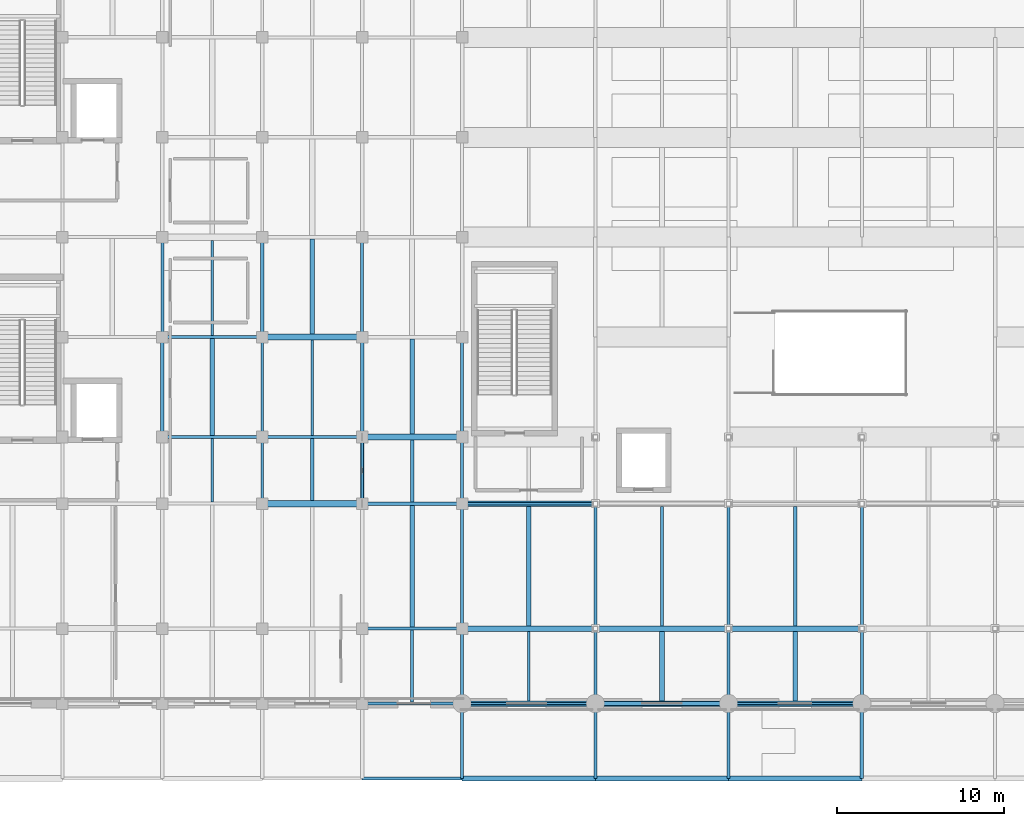
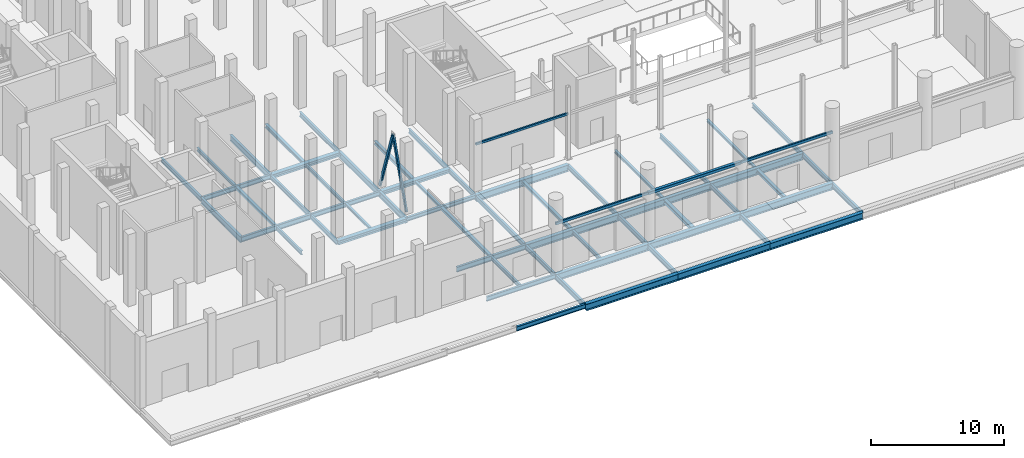
# One storey, part 21 of 140: 62 beams, 2 members.
"""IFC4 building model written with IfcOpenShell, lengths in metres."""

from ifc_helpers import new_model, si_unit, direction, frame, origin, origin_2d, place, context, subcontext, project, spatial, hollow_rectangle, i_section, extrude, material, material_profile, profile_set, type_object, element, save


model = new_model("IFC4")

# Units and contexts
model_context = context("Model", 3, precision=1e-05, world=origin(), true_north=direction((0.0, 1.0)))
body_context = subcontext(model_context, "Body", "Model", "MODEL_VIEW")
ifc_project = project(units=[si_unit("LENGTHUNIT", "METRE"), si_unit("AREAUNIT", "SQUARE_METRE"), si_unit("VOLUMEUNIT", "CUBIC_METRE"), si_unit("PLANEANGLEUNIT", "RADIAN"), si_unit("MASSUNIT", "GRAM", prefix="KILO")], contexts=[model_context])

# Site, building, storey
site_placement = place(None, origin())
site = spatial("IfcSite", under=ifc_project, at=site_placement, CompositionType="ELEMENT")
building_placement = place(site_placement, origin())
building = spatial("IfcBuilding", under=site, at=building_placement, Name="Verrall Gate Interchange", CompositionType="ELEMENT")
storey_placement = place(building_placement, origin())
storey = spatial("IfcBuildingStorey", under=building, at=storey_placement, Name="L01", CompositionType="ELEMENT", Elevation=0.0)

# Beams
ifc_material_1 = material(Name="Structural Steel CSA G40.21 350WT Cat 4", Category="steel")
ifc_material_profile_1 = material_profile(ifc_material_1, i_section(OverallWidth=0.323974609375, OverallDepth=0.611083984375, WebThickness=0.0126953125, FlangeThickness=0.01904296875, FilletRadius=0.014892578125, at=origin_2d()), Name="W610x155")
ifc_profile_set_1 = profile_set([ifc_material_profile_1], Name="Structural Steel CSA G40.21 350WT Cat 4")
beam_type_1 = type_object("IfcBeamType", Name="B-08 Structural Beam W610x155", PredefinedType="BEAM", material=ifc_profile_set_1)
for number, where, z_axis, x_axis, name in (
    (1, (36.0, -4.5, -0.805419921875), (1.0, 0.0, 0.0), (0.0, 1.0, 0.0), "L01 Girder BM-L01-0724 (B-08)"),
    (2, (44.0, -4.5, -0.805419921875), (1.0, 0.0, 0.0), (0.0, 1.0, 0.0), "L01 Girder BM-L01-0725 (B-08)"),
    (3, (52.0, -4.5, -0.805419921875), (1.0, 0.0, 0.0), (0.0, 1.0, 0.0), "L01 Girder BM-L01-0726 (B-08)"),
    (4, (36.0, 0.0, -0.805419921875), (1.0, 0.0, 0.0), (0.0, 1.0, 0.0), "L01 Girder BM-L01-0739 (B-08)"),
    (5, (44.0, 0.0, -0.805419921875), (1.0, 0.0, 0.0), (0.0, 1.0, 0.0), "L01 Girder BM-L01-0740 (B-08)"),
    (6, (52.0, 0.0, -0.805419921875), (1.0, 0.0, 0.0), (0.0, 1.0, 0.0), "L01 Girder BM-L01-0741 (B-08)"),
    (7, (36.0, 4.5, -0.805419921875), (1.0, 0.0, 0.0), (0.0, 1.0, 0.0), "L01 Girder BM-L01-0755 (B-08)"),
    (8, (44.0, 4.5, -0.805419921875), (1.0, 0.0, 0.0), (0.0, 1.0, 0.0), "L01 Girder BM-L01-0756 (B-08)"),
    (9, (52.0, 4.5, -0.805419921875), (1.0, 0.0, 0.0), (0.0, 1.0, 0.0), "L01 Girder BM-L01-0757 (B-08)"),
    (10, (36.0, 12.0, -0.805419921875), (1.0, 0.0, 0.0), (0.0, 1.0, 0.0), "L01 Girder BM-L01-0770 (B-08)"),
):
    element("IfcBeam", number, at=place(storey_placement, frame(where, z_axis=z_axis, x_axis=x_axis)), inside=storey, type_object=beam_type_1, Name=name, PredefinedType="BEAM", context=body_context, shape_type="SweptSolid", body=[
        extrude(i_section(OverallWidth=0.323974609375, OverallDepth=0.611083984375, WebThickness=0.0126953125, FlangeThickness=0.01904296875, FilletRadius=0.014892578125, at=origin_2d()), origin(), (0.0, 0.0, 1.0), 8.0),
    ])
ifc_material_2 = material(Name="Structural Steel CSA G40.21 350W", Category="steel")
ifc_material_profile_2 = material_profile(ifc_material_2, i_section(OverallWidth=0.2109375, OverallDepth=0.5390625, WebThickness=0.01171875, FlangeThickness=0.018798828125, FilletRadius=0.013916015625, at=origin_2d()), Name="W530x109")
ifc_profile_set_2 = profile_set([ifc_material_profile_2], Name="Structural Steel CSA G40.21 350W")
beam_type_2 = type_object("IfcBeamType", Name="B-10 Structural Beam W530x109", PredefinedType="BEAM", material=ifc_profile_set_2)
for number, where, z_axis, x_axis, name in (
    (11, (18.0, 16.0, -0.76953125), (0.0, 1.0, 0.0), (-1.0, 0.0, 0.0), "L01 Girder BM-L01-1030 (B-10)"),
    (12, (24.0, 22.0, -0.76953125), (0.0, 1.0, 0.0), (-1.0, 0.0, 0.0), "L01 Girder BM-L01-1046 (B-10)"),
):
    element("IfcBeam", number, at=place(storey_placement, frame(where, z_axis=z_axis, x_axis=x_axis)), inside=storey, type_object=beam_type_2, Name=name, PredefinedType="BEAM", context=body_context, shape_type="SweptSolid", body=[
        extrude(i_section(OverallWidth=0.2109375, OverallDepth=0.5390625, WebThickness=0.01171875, FlangeThickness=0.018798828125, FilletRadius=0.013916015625, at=origin_2d()), origin(), (0.0, 0.0, 1.0), 6.0),
    ])
beam_1_placement = place(storey_placement, frame((30.0, 12.0, -0.76953125), z_axis=(0.0, 1.0, 0.0), x_axis=(-1.0, 0.0, 0.0)))
element("IfcBeam", 13, at=beam_1_placement, inside=storey, type_object=beam_type_2, Name="L01 Girder BM-L01-1059 (B-10)", PredefinedType="BEAM", context=body_context, shape_type="SweptSolid", body=[
    extrude(i_section(OverallWidth=0.2109375, OverallDepth=0.5390625, WebThickness=0.01171875, FlangeThickness=0.018798828125, FilletRadius=0.013916015625, at=origin_2d()), origin(), (0.0, 0.0, 1.0), 4.0),
])
beam_2_placement = place(storey_placement, frame((30.0, 16.0, -0.76953125), z_axis=(0.0, 1.0, 0.0), x_axis=(-1.0, 0.0, 0.0)))
element("IfcBeam", 14, at=beam_2_placement, inside=storey, type_object=beam_type_2, Name="L01 Girder BM-L01-1060 (B-10)", PredefinedType="BEAM", context=body_context, shape_type="SweptSolid", body=[
    extrude(i_section(OverallWidth=0.2109375, OverallDepth=0.5390625, WebThickness=0.01171875, FlangeThickness=0.018798828125, FilletRadius=0.013916015625, at=origin_2d()), origin(), (0.0, 0.0, 1.0), 6.0),
])
ifc_material_3 = material(Name="Structural Steel CSA G40.21 350W", Category="steel")
ifc_material_profile_3 = material_profile(ifc_material_3, i_section(OverallWidth=0.19189453125, OverallDepth=0.462890625, WebThickness=0.010498046875, FlangeThickness=0.017578125, FilletRadius=0.012939453125, at=origin_2d()), Name="W460x89")
ifc_profile_set_3 = profile_set([ifc_material_profile_3], Name="Structural Steel CSA G40.21 350W")
beam_type_3 = type_object("IfcBeamType", Name="B-11 Structural Beam W460x89", PredefinedType="BEAM", material=ifc_profile_set_3)
for number, where, z_axis, x_axis, name in (
    (15, (30.0, 4.5, -0.7314453125), (1.0, 0.0, 0.0), (0.0, 1.0, 0.0), "L01 Girder BM-L01-0754 (B-11)"),
    (16, (18.0, 16.0, -0.7314453125), (1.0, 0.0, 0.0), (0.0, 1.0, 0.0), "L01 Girder BM-L01-0789 (B-11)"),
):
    element("IfcBeam", number, at=place(storey_placement, frame(where, z_axis=z_axis, x_axis=x_axis)), inside=storey, type_object=beam_type_3, Name=name, PredefinedType="BEAM", context=body_context, shape_type="SweptSolid", body=[
        extrude(i_section(OverallWidth=0.19189453125, OverallDepth=0.462890625, WebThickness=0.010498046875, FlangeThickness=0.017578125, FilletRadius=0.012939453125, at=origin_2d()), origin(), (0.0, 0.0, 1.0), 6.0),
    ])
for number, where, z_axis, x_axis, name in (
    (17, (36.0, -4.5, -0.7314453125), (0.0, 1.0, 0.0), (-1.0, 0.0, 0.0), "L01 Girder BM-L01-1071 (B-11)"),
    (18, (44.0, -4.5, -0.7314453125), (0.0, 1.0, 0.0), (-1.0, 0.0, 0.0), "L01 Girder BM-L01-1086 (B-11)"),
    (19, (52.0, -4.5, -0.7314453125), (0.0, 1.0, 0.0), (-1.0, 0.0, 0.0), "L01 Girder BM-L01-1097 (B-11)"),
    (20, (60.0, -4.5, -0.7314453125), (0.0, 1.0, 0.0), (-1.0, 0.0, 0.0), "L01 Girder BM-L01-1108 (B-11)"),
):
    element("IfcBeam", number, at=place(storey_placement, frame(where, z_axis=z_axis, x_axis=x_axis)), inside=storey, type_object=beam_type_3, Name=name, PredefinedType="BEAM", context=body_context, shape_type="SweptSolid", body=[
        extrude(i_section(OverallWidth=0.19189453125, OverallDepth=0.462890625, WebThickness=0.010498046875, FlangeThickness=0.017578125, FilletRadius=0.012939453125, at=origin_2d()), origin(), (0.0, 0.0, 1.0), 4.5),
    ])
ifc_material_4 = material(Name="Structural Steel CSA G40.21 350W", Category="steel")
ifc_material_profile_4 = material_profile(ifc_material_4, i_section(OverallWidth=0.178955078125, OverallDepth=0.409912109375, WebThickness=0.0087890625, FlangeThickness=0.014404296875, FilletRadius=0.011962890625, at=origin_2d()), Name="W410x67")
ifc_profile_set_4 = profile_set([ifc_material_profile_4], Name="Structural Steel CSA G40.21 350W")
beam_type_4 = type_object("IfcBeamType", Name="B-12 Structural Beam W410x67", PredefinedType="BEAM", material=ifc_profile_set_4)
for number, where, z_axis, x_axis, name in (
    (21, (30.0, -4.5, -0.705078125), (1.0, 0.0, 0.0), (0.0, 1.0, 0.0), "L01 Girder BM-L01-0723 (B-12)"),
    (22, (30.0, 0.0, -0.705078125), (1.0, 0.0, 0.0), (0.0, 1.0, 0.0), "L01 Girder BM-L01-0738 (B-12)"),
    (23, (24.0, 16.0, -0.705078125), (1.0, 0.0, 0.0), (0.0, 1.0, 0.0), "L01 Girder BM-L01-0790 (B-12)"),
    (24, (18.0, 22.0, -0.705078125), (1.0, 0.0, 0.0), (0.0, 1.0, 0.0), "L01 Girder BM-L01-0811 (B-12)"),
    (25, (18.0, 22.0, -0.705078125), (0.0, 1.0, 0.0), (-1.0, 0.0, 0.0), "L01 Girder BM-L01-1031 (B-12)"),
):
    element("IfcBeam", number, at=place(storey_placement, frame(where, z_axis=z_axis, x_axis=x_axis)), inside=storey, type_object=beam_type_4, Name=name, PredefinedType="BEAM", context=body_context, shape_type="SweptSolid", body=[
        extrude(i_section(OverallWidth=0.178955078125, OverallDepth=0.409912109375, WebThickness=0.0087890625, FlangeThickness=0.014404296875, FilletRadius=0.011962890625, at=origin_2d()), origin(), (0.0, 0.0, 1.0), 6.0),
    ])
beam_3_placement = place(storey_placement, frame((24.0, 12.0, -0.705078125), z_axis=(0.0, 1.0, 0.0), x_axis=(-1.0, 0.0, 0.0)))
element("IfcBeam", 26, at=beam_3_placement, inside=storey, type_object=beam_type_4, Name="L01 Girder BM-L01-1044 (B-12)", PredefinedType="BEAM", context=body_context, shape_type="SweptSolid", body=[
    extrude(i_section(OverallWidth=0.178955078125, OverallDepth=0.409912109375, WebThickness=0.0087890625, FlangeThickness=0.014404296875, FilletRadius=0.011962890625, at=origin_2d()), origin(), (0.0, 0.0, 1.0), 4.0),
])
for number, where, z_axis, x_axis, name in (
    (27, (24.0, 16.0, -0.705078125), (0.0, 1.0, 0.0), (-1.0, 0.0, 0.0), "L01 Girder BM-L01-1045 (B-12)"),
    (28, (30.0, 22.0, -0.705078125), (0.0, 1.0, 0.0), (-1.0, 0.0, 0.0), "L01 Girder BM-L01-1061 (B-12)"),
):
    element("IfcBeam", number, at=place(storey_placement, frame(where, z_axis=z_axis, x_axis=x_axis)), inside=storey, type_object=beam_type_4, Name=name, PredefinedType="BEAM", context=body_context, shape_type="SweptSolid", body=[
        extrude(i_section(OverallWidth=0.178955078125, OverallDepth=0.409912109375, WebThickness=0.0087890625, FlangeThickness=0.014404296875, FilletRadius=0.011962890625, at=origin_2d()), origin(), (0.0, 0.0, 1.0), 6.0),
    ])
beam_4_placement = place(storey_placement, frame((36.0, 0.0, -0.705078125), z_axis=(0.0, 1.0, 0.0), x_axis=(-1.0, 0.0, 0.0)))
element("IfcBeam", 29, at=beam_4_placement, inside=storey, type_object=beam_type_4, Name="L01 Girder BM-L01-1072 (B-12)", PredefinedType="BEAM", context=body_context, shape_type="SweptSolid", body=[
    extrude(i_section(OverallWidth=0.178955078125, OverallDepth=0.409912109375, WebThickness=0.0087890625, FlangeThickness=0.014404296875, FilletRadius=0.011962890625, at=origin_2d()), origin(), (0.0, 0.0, 1.0), 4.5),
])
beam_5_placement = place(storey_placement, frame((36.0, 4.5, -0.705078125), z_axis=(0.0, 1.0, 0.0), x_axis=(-1.0, 0.0, 0.0)))
element("IfcBeam", 30, at=beam_5_placement, inside=storey, type_object=beam_type_4, Name="L01 Girder BM-L01-1073 (B-12)", PredefinedType="BEAM", context=body_context, shape_type="SweptSolid", body=[
    extrude(i_section(OverallWidth=0.178955078125, OverallDepth=0.409912109375, WebThickness=0.0087890625, FlangeThickness=0.014404296875, FilletRadius=0.011962890625, at=origin_2d()), origin(), (0.0, 0.0, 1.0), 7.5),
])
beam_6_placement = place(storey_placement, frame((36.0, 12.0, -0.705078125), z_axis=(0.0, 1.0, 0.0), x_axis=(-1.0, 0.0, 0.0)))
element("IfcBeam", 31, at=beam_6_placement, inside=storey, type_object=beam_type_4, Name="L01 Girder BM-L01-1074 (B-12)", PredefinedType="BEAM", context=body_context, shape_type="SweptSolid", body=[
    extrude(i_section(OverallWidth=0.178955078125, OverallDepth=0.409912109375, WebThickness=0.0087890625, FlangeThickness=0.014404296875, FilletRadius=0.011962890625, at=origin_2d()), origin(), (0.0, 0.0, 1.0), 4.0),
])
beam_7_placement = place(storey_placement, frame((36.0, 16.0, -0.705078125), z_axis=(0.0, 1.0, 0.0), x_axis=(-1.0, 0.0, 0.0)))
element("IfcBeam", 32, at=beam_7_placement, inside=storey, type_object=beam_type_4, Name="L01 Girder BM-L01-1075 (B-12)", PredefinedType="BEAM", context=body_context, shape_type="SweptSolid", body=[
    extrude(i_section(OverallWidth=0.178955078125, OverallDepth=0.409912109375, WebThickness=0.0087890625, FlangeThickness=0.014404296875, FilletRadius=0.011962890625, at=origin_2d()), origin(), (0.0, 0.0, 1.0), 6.0),
])
beam_8_placement = place(storey_placement, frame((44.0, 0.0, -0.705078125), z_axis=(0.0, 1.0, 0.0), x_axis=(-1.0, 0.0, 0.0)))
element("IfcBeam", 33, at=beam_8_placement, inside=storey, type_object=beam_type_4, Name="L01 Girder BM-L01-1087 (B-12)", PredefinedType="BEAM", context=body_context, shape_type="SweptSolid", body=[
    extrude(i_section(OverallWidth=0.178955078125, OverallDepth=0.409912109375, WebThickness=0.0087890625, FlangeThickness=0.014404296875, FilletRadius=0.011962890625, at=origin_2d()), origin(), (0.0, 0.0, 1.0), 4.5),
])
beam_9_placement = place(storey_placement, frame((44.0, 4.5, -0.705078125), z_axis=(0.0, 1.0, 0.0), x_axis=(-1.0, 0.0, 0.0)))
element("IfcBeam", 34, at=beam_9_placement, inside=storey, type_object=beam_type_4, Name="L01 Girder BM-L01-1088 (B-12)", PredefinedType="BEAM", context=body_context, shape_type="SweptSolid", body=[
    extrude(i_section(OverallWidth=0.178955078125, OverallDepth=0.409912109375, WebThickness=0.0087890625, FlangeThickness=0.014404296875, FilletRadius=0.011962890625, at=origin_2d()), origin(), (0.0, 0.0, 1.0), 7.5),
])
beam_10_placement = place(storey_placement, frame((52.0, 0.0, -0.705078125), z_axis=(0.0, 1.0, 0.0), x_axis=(-1.0, 0.0, 0.0)))
element("IfcBeam", 35, at=beam_10_placement, inside=storey, type_object=beam_type_4, Name="L01 Girder BM-L01-1098 (B-12)", PredefinedType="BEAM", context=body_context, shape_type="SweptSolid", body=[
    extrude(i_section(OverallWidth=0.178955078125, OverallDepth=0.409912109375, WebThickness=0.0087890625, FlangeThickness=0.014404296875, FilletRadius=0.011962890625, at=origin_2d()), origin(), (0.0, 0.0, 1.0), 4.5),
])
beam_11_placement = place(storey_placement, frame((52.0, 4.5, -0.705078125), z_axis=(0.0, 1.0, 0.0), x_axis=(-1.0, 0.0, 0.0)))
element("IfcBeam", 36, at=beam_11_placement, inside=storey, type_object=beam_type_4, Name="L01 Girder BM-L01-1099 (B-12)", PredefinedType="BEAM", context=body_context, shape_type="SweptSolid", body=[
    extrude(i_section(OverallWidth=0.178955078125, OverallDepth=0.409912109375, WebThickness=0.0087890625, FlangeThickness=0.014404296875, FilletRadius=0.011962890625, at=origin_2d()), origin(), (0.0, 0.0, 1.0), 7.5),
])
beam_12_placement = place(storey_placement, frame((60.0, 0.0, -0.705078125), z_axis=(0.0, 1.0, 0.0), x_axis=(-1.0, 0.0, 0.0)))
element("IfcBeam", 37, at=beam_12_placement, inside=storey, type_object=beam_type_4, Name="L01 Girder BM-L01-1109 (B-12)", PredefinedType="BEAM", context=body_context, shape_type="SweptSolid", body=[
    extrude(i_section(OverallWidth=0.178955078125, OverallDepth=0.409912109375, WebThickness=0.0087890625, FlangeThickness=0.014404296875, FilletRadius=0.011962890625, at=origin_2d()), origin(), (0.0, 0.0, 1.0), 4.5),
])
beam_13_placement = place(storey_placement, frame((60.0, 4.5, -0.705078125), z_axis=(0.0, 1.0, 0.0), x_axis=(-1.0, 0.0, 0.0)))
element("IfcBeam", 38, at=beam_13_placement, inside=storey, type_object=beam_type_4, Name="L01 Girder BM-L01-1110 (B-12)", PredefinedType="BEAM", context=body_context, shape_type="SweptSolid", body=[
    extrude(i_section(OverallWidth=0.178955078125, OverallDepth=0.409912109375, WebThickness=0.0087890625, FlangeThickness=0.014404296875, FilletRadius=0.011962890625, at=origin_2d()), origin(), (0.0, 0.0, 1.0), 7.5),
])
ifc_material_5 = material(Name="Structural Steel CSA G40.21 350W", Category="steel")
ifc_material_profile_5 = material_profile(ifc_material_5, i_section(OverallWidth=0.368896484375, OverallDepth=0.35595703125, WebThickness=0.01123046875, FlangeThickness=0.01806640625, FilletRadius=0.014892578125, at=origin_2d()), Name="W360x134")
ifc_profile_set_5 = profile_set([ifc_material_profile_5], Name="Structural Steel CSA G40.21 350W")
beam_type_5 = type_object("IfcBeamType", Name="B-13 Structural Beam W360x134", PredefinedType="BEAM", material=ifc_profile_set_5)
for number, where, z_axis, x_axis, name in (
    (39, (24.0, 12.0, -0.677978515625), (1.0, 0.0, 0.0), (0.0, 1.0, 0.0), "L01 Girder BM-L01-0768 (B-13)"),
    (40, (30.0, 16.0, -0.677978515625), (1.0, 0.0, 0.0), (0.0, 1.0, 0.0), "L01 Girder BM-L01-0791 (B-13)"),
    (41, (24.0, 22.0, -0.677978515625), (1.0, 0.0, 0.0), (0.0, 1.0, 0.0), "L01 Girder BM-L01-0812 (B-13)"),
):
    element("IfcBeam", number, at=place(storey_placement, frame(where, z_axis=z_axis, x_axis=x_axis)), inside=storey, type_object=beam_type_5, Name=name, PredefinedType="BEAM", context=body_context, shape_type="SweptSolid", body=[
        extrude(i_section(OverallWidth=0.368896484375, OverallDepth=0.35595703125, WebThickness=0.01123046875, FlangeThickness=0.01806640625, FilletRadius=0.014892578125, at=origin_2d()), origin(), (0.0, 0.0, 1.0), 6.0),
    ])
ifc_material_6 = material(Name="Structural Steel CSA G40.21 350W", Category="steel")
ifc_material_profile_6 = material_profile(ifc_material_6, i_section(OverallWidth=0.205078125, OverallDepth=0.35400390625, WebThickness=0.009521484375, FlangeThickness=0.016845703125, FilletRadius=0.012939453125, at=origin_2d()), Name="W360x79")
ifc_profile_set_6 = profile_set([ifc_material_profile_6], Name="Structural Steel CSA G40.21 350W")
beam_type_6 = type_object("IfcBeamType", Name="B-14 Structural Beam W360x79", PredefinedType="BEAM", material=ifc_profile_set_6)
beam_14_placement = place(storey_placement, frame((30.0, 12.0, -0.677001953125), z_axis=(1.0, 0.0, 0.0), x_axis=(0.0, 1.0, 0.0)))
element("IfcBeam", 42, at=beam_14_placement, inside=storey, type_object=beam_type_6, Name="L01 Girder BM-L01-0769 (B-14)", PredefinedType="BEAM", context=body_context, shape_type="SweptSolid", body=[
    extrude(i_section(OverallWidth=0.205078125, OverallDepth=0.35400390625, WebThickness=0.009521484375, FlangeThickness=0.016845703125, FilletRadius=0.012939453125, at=origin_2d()), origin(), (0.0, 0.0, 1.0), 6.0),
])

# Members
ifc_material_7 = material(Name="Structural Steel CSA G40.21 350W", Category="steel")
ifc_material_profile_7 = material_profile(ifc_material_7, hollow_rectangle(XDim=0.152099609375, YDim=0.25390625, WallThickness=0.009521484375, InnerFilletRadius=0.009521484375, OuterFilletRadius=0.01904296875, at=origin_2d()), Name="HSS254x152x9.5")
ifc_profile_set_7 = profile_set([ifc_material_profile_7], Name="Structural Steel CSA G40.21 350W")
member_type = type_object("IfcMemberType", Name="BR-05 Diagonal Brace HSS254x152x9.5", PredefinedType="BRACE", material=ifc_profile_set_7)
for number, where, z_axis, x_axis, name in (
    (43, (30.0, 12.0, 0.0), (0.0, 0.322503989121, 0.946568104788), (-1.0, 0.0, 0.0), "Chevron Brace CBF5 L01 Leg A"),
    (44, (30.0, 16.0, 0.0), (0.0, -0.322503989121, 0.946568104788), (1.0, 0.0, 0.0), "Chevron Brace CBF5 L01 Leg B"),
):
    element("IfcMember", number, at=place(storey_placement, frame(where, z_axis=z_axis, x_axis=x_axis)), inside=storey, type_object=member_type, Name=name, PredefinedType="BRACE", context=body_context, shape_type="SweptSolid", body=[
        extrude(hollow_rectangle(XDim=0.152099609375, YDim=0.25390625, WallThickness=0.009521484375, InnerFilletRadius=0.009521484375, OuterFilletRadius=0.01904296875, at=origin_2d()), origin(), (0.0, 0.0, 1.0), 6.201416015625),
    ])

# Beams
ifc_material_8 = material(Name="Structural Steel CSA G40.21 350W", Category="steel")
ifc_material_profile_8 = material_profile(ifc_material_8, i_section(OverallWidth=0.172119140625, OverallDepth=0.35791015625, WebThickness=0.0078125, FlangeThickness=0.01318359375, FilletRadius=0.010986328125, at=origin_2d()), Name="W360x57")
ifc_profile_set_8 = profile_set([ifc_material_profile_8], Name="Structural Steel CSA G40.21 350W")
beam_type_7 = type_object("IfcBeamType", Name="J-01 Floor Joist W360x57", PredefinedType="JOIST", material=ifc_profile_set_8)
beam_15_placement = place(storey_placement, frame((33.0, 0.089599609375, -0.678955078125), z_axis=(0.0, 1.0, 0.0), x_axis=(-1.0, 0.0, 0.0)))
element("IfcBeam", 45, at=beam_15_placement, inside=storey, type_object=beam_type_7, Name="L01 Secondary Floor Joist JST-L01-1255", PredefinedType="JOIST", context=body_context, shape_type="SweptSolid", body=[
    extrude(i_section(OverallWidth=0.172119140625, OverallDepth=0.35791015625, WebThickness=0.0078125, FlangeThickness=0.01318359375, FilletRadius=0.010986328125, at=origin_2d()), origin(), (0.0, 0.0, 1.0), 4.314453125),
])
beam_16_placement = place(storey_placement, frame((40.0, 0.162109375, -0.678955078125), z_axis=(0.0, 1.0, 0.0), x_axis=(-1.0, 0.0, 0.0)))
element("IfcBeam", 46, at=beam_16_placement, inside=storey, type_object=beam_type_7, Name="L01 Secondary Floor Joist JST-L01-1256", PredefinedType="JOIST", context=body_context, shape_type="SweptSolid", body=[
    extrude(i_section(OverallWidth=0.172119140625, OverallDepth=0.35791015625, WebThickness=0.0078125, FlangeThickness=0.01318359375, FilletRadius=0.010986328125, at=origin_2d()), origin(), (0.0, 0.0, 1.0), 4.17578125),
])
beam_17_placement = place(storey_placement, frame((21.0, 12.089599609375, -0.678955078125), z_axis=(0.0, 1.0, 0.0), x_axis=(-1.0, 0.0, 0.0)))
element("IfcBeam", 47, at=beam_17_placement, inside=storey, type_object=beam_type_7, Name="L01 Secondary Floor Joist JST-L01-1280", PredefinedType="JOIST", context=body_context, shape_type="SweptSolid", body=[
    extrude(i_section(OverallWidth=0.172119140625, OverallDepth=0.35791015625, WebThickness=0.0078125, FlangeThickness=0.01318359375, FilletRadius=0.010986328125, at=origin_2d()), origin(), (0.0, 0.0, 1.0), 3.814453125),
])
ifc_material_9 = material(Name="Structural Steel CSA G40.21 350W", Category="steel")
ifc_material_profile_9 = material_profile(ifc_material_9, i_section(OverallWidth=0.306884765625, OverallDepth=0.31396484375, WebThickness=0.011962890625, FlangeThickness=0.018798828125, FilletRadius=0.013916015625, at=origin_2d()), Name="W310x118")
ifc_profile_set_9 = profile_set([ifc_material_profile_9], Name="Structural Steel CSA G40.21 350W")
beam_type_8 = type_object("IfcBeamType", Name="J-02 Floor Joist W310x118", PredefinedType="JOIST", material=ifc_profile_set_9)
beam_18_placement = place(storey_placement, frame((48.0, 0.162109375, -0.656982421875), z_axis=(0.0, 1.0, 0.0), x_axis=(-1.0, 0.0, 0.0)))
element("IfcBeam", 48, at=beam_18_placement, inside=storey, type_object=beam_type_8, Name="L01 Secondary Floor Joist JST-L01-1257", PredefinedType="JOIST", context=body_context, shape_type="SweptSolid", body=[
    extrude(i_section(OverallWidth=0.306884765625, OverallDepth=0.31396484375, WebThickness=0.011962890625, FlangeThickness=0.018798828125, FilletRadius=0.013916015625, at=origin_2d()), origin(), (0.0, 0.0, 1.0), 4.17578125),
])
ifc_material_10 = material(Name="Structural Steel CSA G40.21 350W", Category="steel")
ifc_material_profile_10 = material_profile(ifc_material_10, i_section(OverallWidth=0.25390625, OverallDepth=0.305908203125, WebThickness=0.0087890625, FlangeThickness=0.0146484375, FilletRadius=0.012939453125, at=origin_2d()), Name="W310x79")
ifc_profile_set_10 = profile_set([ifc_material_profile_10], Name="Structural Steel CSA G40.21 350W")
beam_type_9 = type_object("IfcBeamType", Name="J-03 Floor Joist W310x79", PredefinedType="JOIST", material=ifc_profile_set_10)
beam_19_placement = place(storey_placement, frame((56.0, 0.162109375, -0.653076171875), z_axis=(0.0, 1.0, 0.0), x_axis=(-1.0, 0.0, 0.0)))
element("IfcBeam", 49, at=beam_19_placement, inside=storey, type_object=beam_type_9, Name="L01 Secondary Floor Joist JST-L01-1258", PredefinedType="JOIST", context=body_context, shape_type="SweptSolid", body=[
    extrude(i_section(OverallWidth=0.25390625, OverallDepth=0.305908203125, WebThickness=0.0087890625, FlangeThickness=0.0146484375, FilletRadius=0.012939453125, at=origin_2d()), origin(), (0.0, 0.0, 1.0), 4.17578125),
])
for number, where, z_axis, x_axis, name in (
    (50, (33.0, 16.1845703125, -0.653076171875), (0.0, 1.0, 0.0), (-1.0, 0.0, 0.0), "L01 Secondary Floor Joist JST-L01-1301"),
    (51, (27.0, 22.1845703125, -0.653076171875), (0.0, 1.0, 0.0), (-1.0, 0.0, 0.0), "L01 Secondary Floor Joist JST-L01-1313"),
):
    element("IfcBeam", number, at=place(storey_placement, frame(where, z_axis=z_axis, x_axis=x_axis)), inside=storey, type_object=beam_type_9, Name=name, PredefinedType="JOIST", context=body_context, shape_type="SweptSolid", body=[
        extrude(i_section(OverallWidth=0.25390625, OverallDepth=0.305908203125, WebThickness=0.0087890625, FlangeThickness=0.0146484375, FilletRadius=0.012939453125, at=origin_2d()), origin(), (0.0, 0.0, 1.0), 5.712890625),
    ])
ifc_material_11 = material(Name="Structural Steel CSA G40.21 350W", Category="steel")
ifc_material_profile_11 = material_profile(ifc_material_11, i_section(OverallWidth=0.1650390625, OverallDepth=0.31005859375, WebThickness=0.005859375, FlangeThickness=0.009765625, FilletRadius=0.010009765625, at=origin_2d()), Name="W310x39")
ifc_profile_set_11 = profile_set([ifc_material_profile_11], Name="Structural Steel CSA G40.21 350W")
beam_type_10 = type_object("IfcBeamType", Name="J-04 Floor Joist W310x39", PredefinedType="JOIST", material=ifc_profile_set_11)
for number, where, z_axis, x_axis, name in (
    (52, (27.0, 16.089599609375, -0.655029296875), (0.0, 1.0, 0.0), (-1.0, 0.0, 0.0), "L01 Secondary Floor Joist JST-L01-1300"),
    (53, (21.0, 22.089599609375, -0.655029296875), (0.0, 1.0, 0.0), (-1.0, 0.0, 0.0), "L01 Secondary Floor Joist JST-L01-1312"),
):
    element("IfcBeam", number, at=place(storey_placement, frame(where, z_axis=z_axis, x_axis=x_axis)), inside=storey, type_object=beam_type_10, Name=name, PredefinedType="JOIST", context=body_context, shape_type="SweptSolid", body=[
        extrude(i_section(OverallWidth=0.1650390625, OverallDepth=0.31005859375, WebThickness=0.005859375, FlangeThickness=0.009765625, FilletRadius=0.010009765625, at=origin_2d()), origin(), (0.0, 0.0, 1.0), 5.725830078125),
    ])
ifc_material_12 = material(Name="Structural Steel CSA G40.21 350W", Category="steel")
ifc_material_profile_12 = material_profile(ifc_material_12, i_section(OverallWidth=0.25390625, OverallDepth=0.2529296875, WebThickness=0.008544921875, FlangeThickness=0.01416015625, FilletRadius=0.011962890625, at=origin_2d()), Name="W250x73")
ifc_profile_set_12 = profile_set([ifc_material_profile_12], Name="Structural Steel CSA G40.21 350W")
beam_type_11 = type_object("IfcBeamType", Name="J-05 Floor Joist W250x73", PredefinedType="JOIST", material=ifc_profile_set_12)
beam_20_placement = place(storey_placement, frame((33.0, 4.595947265625, -0.62646484375), z_axis=(0.0, 1.0, 0.0), x_axis=(-1.0, 0.0, 0.0)))
element("IfcBeam", 54, at=beam_20_placement, inside=storey, type_object=beam_type_11, Name="L01 Secondary Floor Joist JST-L01-1269", PredefinedType="JOIST", context=body_context, shape_type="SweptSolid", body=[
    extrude(i_section(OverallWidth=0.25390625, OverallDepth=0.2529296875, WebThickness=0.008544921875, FlangeThickness=0.01416015625, FilletRadius=0.011962890625, at=origin_2d()), origin(), (0.0, 0.0, 1.0), 7.301513671875),
])
beam_21_placement = place(storey_placement, frame((40.0, 4.662109375, -0.62646484375), z_axis=(0.0, 1.0, 0.0), x_axis=(-1.0, 0.0, 0.0)))
element("IfcBeam", 55, at=beam_21_placement, inside=storey, type_object=beam_type_11, Name="L01 Secondary Floor Joist JST-L01-1270", PredefinedType="JOIST", context=body_context, shape_type="SweptSolid", body=[
    extrude(i_section(OverallWidth=0.25390625, OverallDepth=0.2529296875, WebThickness=0.008544921875, FlangeThickness=0.01416015625, FilletRadius=0.011962890625, at=origin_2d()), origin(), (0.0, 0.0, 1.0), 7.17578125),
])
beam_22_placement = place(storey_placement, frame((21.0, 16.095947265625, -0.62646484375), z_axis=(0.0, 1.0, 0.0), x_axis=(-1.0, 0.0, 0.0)))
element("IfcBeam", 56, at=beam_22_placement, inside=storey, type_object=beam_type_11, Name="L01 Secondary Floor Joist JST-L01-1299", PredefinedType="JOIST", context=body_context, shape_type="SweptSolid", body=[
    extrude(i_section(OverallWidth=0.25390625, OverallDepth=0.2529296875, WebThickness=0.008544921875, FlangeThickness=0.01416015625, FilletRadius=0.011962890625, at=origin_2d()), origin(), (0.0, 0.0, 1.0), 5.814453125),
])
ifc_material_13 = material(Name="Structural Steel CSA G40.21 350W", Category="steel")
ifc_material_profile_13 = material_profile(ifc_material_13, i_section(OverallWidth=0.201904296875, OverallDepth=0.2470703125, WebThickness=0.00732421875, FlangeThickness=0.010986328125, FilletRadius=0.010986328125, at=origin_2d()), Name="W250x49")
ifc_profile_set_13 = profile_set([ifc_material_profile_13], Name="Structural Steel CSA G40.21 350W")
beam_type_12 = type_object("IfcBeamType", Name="J-06 Floor Joist W250x49", PredefinedType="JOIST", material=ifc_profile_set_13)
beam_23_placement = place(storey_placement, frame((48.0, 4.662109375, -0.62353515625), z_axis=(0.0, 1.0, 0.0), x_axis=(-1.0, 0.0, 0.0)))
element("IfcBeam", 57, at=beam_23_placement, inside=storey, type_object=beam_type_12, Name="L01 Secondary Floor Joist JST-L01-1271", PredefinedType="JOIST", context=body_context, shape_type="SweptSolid", body=[
    extrude(i_section(OverallWidth=0.201904296875, OverallDepth=0.2470703125, WebThickness=0.00732421875, FlangeThickness=0.010986328125, FilletRadius=0.010986328125, at=origin_2d()), origin(), (0.0, 0.0, 1.0), 7.17578125),
])
beam_24_placement = place(storey_placement, frame((33.0, 12.1025390625, -0.62353515625), z_axis=(0.0, 1.0, 0.0), x_axis=(-1.0, 0.0, 0.0)))
element("IfcBeam", 58, at=beam_24_placement, inside=storey, type_object=beam_type_12, Name="L01 Secondary Floor Joist JST-L01-1282", PredefinedType="JOIST", context=body_context, shape_type="SweptSolid", body=[
    extrude(i_section(OverallWidth=0.201904296875, OverallDepth=0.2470703125, WebThickness=0.00732421875, FlangeThickness=0.010986328125, FilletRadius=0.010986328125, at=origin_2d()), origin(), (0.0, 0.0, 1.0), 3.712890625),
])
ifc_material_14 = material(Name="Structural Steel CSA G40.21 350W", Category="steel")
ifc_material_profile_14 = material_profile(ifc_material_14, i_section(OverallWidth=0.202880859375, OverallDepth=0.202880859375, WebThickness=0.007080078125, FlangeThickness=0.010986328125, FilletRadius=0.010009765625, at=origin_2d()), Name="W200x46")
ifc_profile_set_14 = profile_set([ifc_material_profile_14], Name="Structural Steel CSA G40.21 350W")
beam_type_13 = type_object("IfcBeamType", Name="J-07 Floor Joist W200x46", PredefinedType="JOIST", material=ifc_profile_set_14)
beam_25_placement = place(storey_placement, frame((56.0, 4.662109375, -0.6015625), z_axis=(0.0, 1.0, 0.0), x_axis=(-1.0, 0.0, 0.0)))
element("IfcBeam", 59, at=beam_25_placement, inside=storey, type_object=beam_type_13, Name="L01 Secondary Floor Joist JST-L01-1272", PredefinedType="JOIST", context=body_context, shape_type="SweptSolid", body=[
    extrude(i_section(OverallWidth=0.202880859375, OverallDepth=0.202880859375, WebThickness=0.007080078125, FlangeThickness=0.010986328125, FilletRadius=0.010009765625, at=origin_2d()), origin(), (0.0, 0.0, 1.0), 7.17578125),
])
beam_26_placement = place(storey_placement, frame((27.0, 12.1845703125, -0.6015625), z_axis=(0.0, 1.0, 0.0), x_axis=(-1.0, 0.0, 0.0)))
element("IfcBeam", 60, at=beam_26_placement, inside=storey, type_object=beam_type_13, Name="L01 Secondary Floor Joist JST-L01-1281", PredefinedType="JOIST", context=body_context, shape_type="SweptSolid", body=[
    extrude(i_section(OverallWidth=0.202880859375, OverallDepth=0.202880859375, WebThickness=0.007080078125, FlangeThickness=0.010986328125, FilletRadius=0.010009765625, at=origin_2d()), origin(), (0.0, 0.0, 1.0), 3.725830078125),
])
ifc_material_15 = material(Name="Structural Steel CSA G40.21 350W", Category="steel")
ifc_material_profile_15 = material_profile(ifc_material_15, hollow_rectangle(XDim=0.152099609375, YDim=0.25390625, WallThickness=0.009521484375, InnerFilletRadius=0.009521484375, OuterFilletRadius=0.01904296875, at=origin_2d()), Name="HSS254x152x9.5")
ifc_profile_set_15 = profile_set([ifc_material_profile_15], Name="Structural Steel CSA G40.21 350W")
beam_type_14 = type_object("IfcBeamType", Name="LN-01 Portal Lintel HSS254x152x9.5", PredefinedType="LINTEL", material=ifc_profile_set_15)
for number, where, z_axis, x_axis, name in (
    (61, (36.0, 0.0, 4.10009765625), (1.0, 0.0, 0.0), (0.0, 1.0, 0.0), "Classical Portal Lintel 001"),
    (62, (52.0, 0.0, 4.10009765625), (1.0, 0.0, 0.0), (0.0, 1.0, 0.0), "Classical Portal Lintel 005"),
):
    element("IfcBeam", number, at=place(storey_placement, frame(where, z_axis=z_axis, x_axis=x_axis)), inside=storey, type_object=beam_type_14, Name=name, PredefinedType="LINTEL", context=body_context, shape_type="SweptSolid", body=[
        extrude(hollow_rectangle(XDim=0.152099609375, YDim=0.25390625, WallThickness=0.009521484375, InnerFilletRadius=0.009521484375, OuterFilletRadius=0.01904296875, at=origin_2d()), origin(), (0.0, 0.0, 1.0), 8.0),
    ])
ifc_material_16 = material(Name="Structural Steel CSA G40.21 350W", Category="steel")
ifc_material_profile_16 = material_profile(ifc_material_16, hollow_rectangle(XDim=0.152099609375, YDim=0.202880859375, WallThickness=0.008056640625, InnerFilletRadius=0.008056640625, OuterFilletRadius=0.015869140625, at=origin_2d()), Name="HSS203x152x8.0")
ifc_profile_set_16 = profile_set([ifc_material_profile_16], Name="Structural Steel CSA G40.21 350W")
beam_type_15 = type_object("IfcBeamType", Name="LN-02 Portal Lintel HSS203x152x8.0", PredefinedType="LINTEL", material=ifc_profile_set_16)
beam_27_placement = place(storey_placement, frame((36.0, 12.0, 4.10009765625), z_axis=(1.0, 0.0, 0.0), x_axis=(0.0, 1.0, 0.0)))
element("IfcBeam", 63, at=beam_27_placement, inside=storey, type_object=beam_type_15, Name="Classical Portal Lintel 002", PredefinedType="LINTEL", context=body_context, shape_type="SweptSolid", body=[
    extrude(hollow_rectangle(XDim=0.152099609375, YDim=0.202880859375, WallThickness=0.008056640625, InnerFilletRadius=0.008056640625, OuterFilletRadius=0.015869140625, at=origin_2d()), origin(), (0.0, 0.0, 1.0), 8.0),
])
ifc_material_17 = material(Name="Structural Steel CSA G40.21 350W", Category="steel")
ifc_material_profile_17 = material_profile(ifc_material_17, hollow_rectangle(XDim=0.25390625, YDim=0.25390625, WallThickness=0.009521484375, InnerFilletRadius=0.009521484375, OuterFilletRadius=0.01904296875, at=origin_2d()), Name="HSS254x254x9.5")
ifc_profile_set_17 = profile_set([ifc_material_profile_17], Name="Structural Steel CSA G40.21 350W")
beam_type_16 = type_object("IfcBeamType", Name="LN-03 Portal Lintel HSS254x254x9.5", PredefinedType="LINTEL", material=ifc_profile_set_17)
beam_28_placement = place(storey_placement, frame((44.0, 0.0, 4.10009765625), z_axis=(1.0, 0.0, 0.0), x_axis=(0.0, 1.0, 0.0)))
element("IfcBeam", 64, at=beam_28_placement, inside=storey, type_object=beam_type_16, Name="Classical Portal Lintel 003", PredefinedType="LINTEL", context=body_context, shape_type="SweptSolid", body=[
    extrude(hollow_rectangle(XDim=0.25390625, YDim=0.25390625, WallThickness=0.009521484375, InnerFilletRadius=0.009521484375, OuterFilletRadius=0.01904296875, at=origin_2d()), origin(), (0.0, 0.0, 1.0), 8.0),
])

save(model, "model.ifc")
